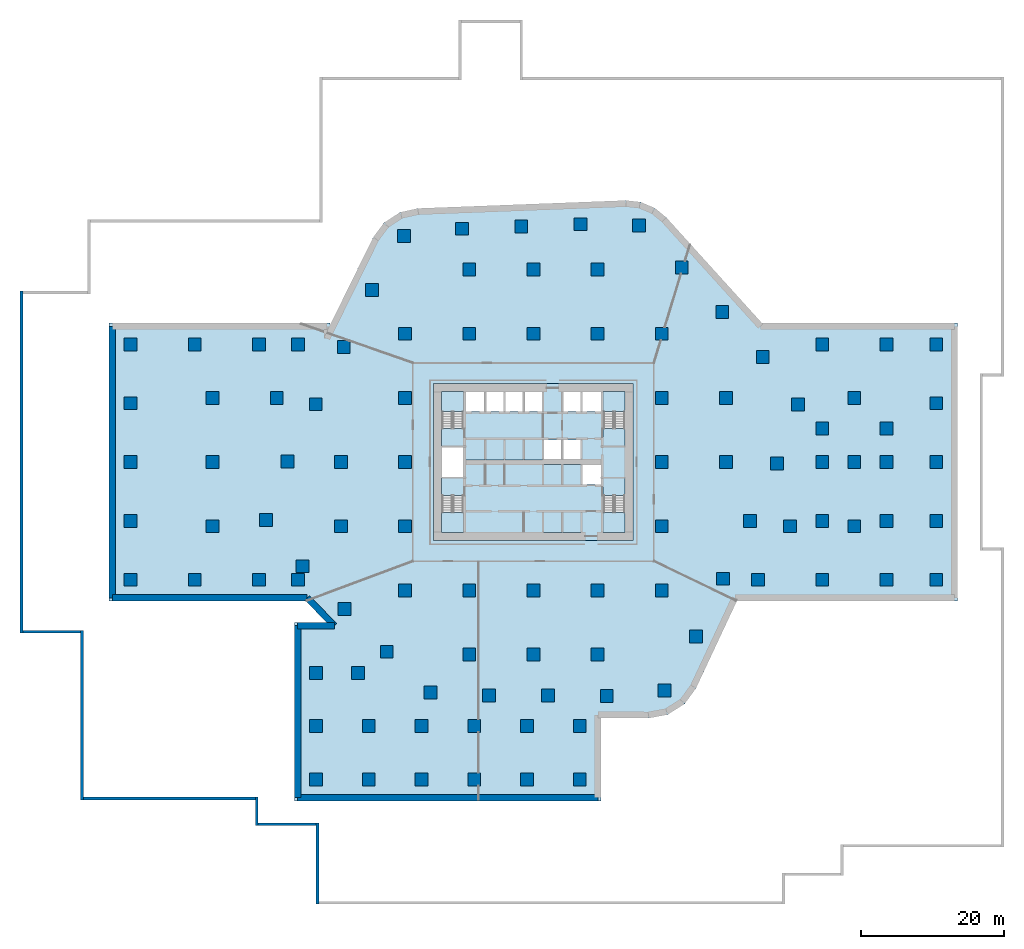
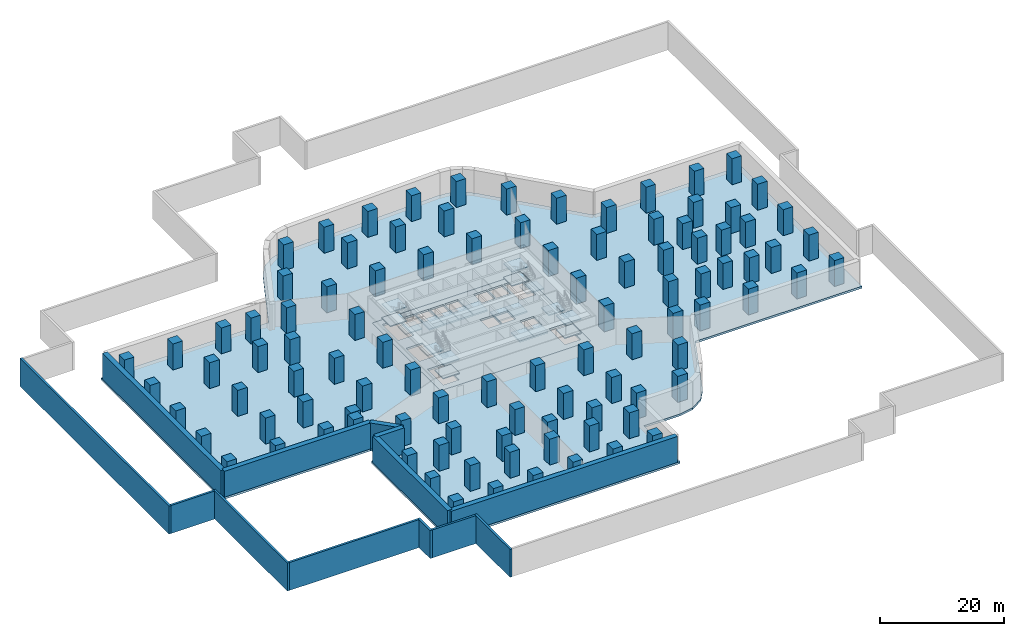
# One storey, part 1 of 9: 101 columns, 22 slabs, 13 walls, 4 elements without a shape of their own.
"""IFC4 building model written with IfcOpenShell, lengths in metres."""

from ifc_helpers import new_model, si_unit, direction, frame, frame_2d, origin, origin_2d, place, context, subcontext, project, spatial, polyline, rectangle, outline, extrude, material, layer, layer_set, material_profile, profile_set, type_object, element, aggregate, save


model = new_model("IFC4")

# Units and contexts
model_context = context("Model", 3, precision=1e-05, world=origin(), true_north=direction((0.0, 1.0)))
body_context = subcontext(model_context, "Body", "Model", "MODEL_VIEW")
ifc_project = project(units=[si_unit("LENGTHUNIT", "METRE"), si_unit("AREAUNIT", "SQUARE_METRE"), si_unit("VOLUMEUNIT", "CUBIC_METRE"), si_unit("PLANEANGLEUNIT", "RADIAN"), si_unit("MASSUNIT", "GRAM", prefix="KILO")], contexts=[model_context])

# Site, building, storey
site_placement = place(None, origin())
site = spatial("IfcSite", under=ifc_project, at=site_placement, CompositionType="ELEMENT")
building_placement = place(site_placement, origin())
building = spatial("IfcBuilding", under=site, at=building_placement, Name="Dongbaek Canopy Tower", CompositionType="ELEMENT")
storey_placement = place(building_placement, frame((0.0, 0.0, -11.5)))
storey = spatial("IfcBuildingStorey", under=building, at=storey_placement, Name="B2", CompositionType="ELEMENT", Elevation=-11.5)

# Columns
ifc_material_1 = material(Name="Concrete C80", Category="concrete")
ifc_material_profile = material_profile(ifc_material_1, rectangle(XDim=1.800048828125, YDim=1.800048828125, at=origin_2d()), Name="RC COLUMN 1800x1800 C80")
ifc_profile_set = profile_set([ifc_material_profile], Name="Concrete C80")
column_type = type_object("IfcColumnType", Name="RC COLUMN 1800x1800 C80", PredefinedType="COLUMN", material=ifc_profile_set)
for number, where, z_axis, x_axis, name in (
    (1, (18.367919921875, -32.04296875, 0.0), (0.0, 0.0, 1.0), (1.0, 0.0, 0.0), "COL:CB-01:B2"),
    (2, (10.277099609375, -32.7900390625, 0.0), (0.0, 0.0, 1.0), (1.0, 0.0, 0.0), "COL:CB-02:B2"),
    (3, (2.027099609375, -32.7529296875, 0.0), (0.0, 0.0, 1.0), (1.0, 0.0, 0.0), "COL:CB-03:B2"),
    (4, (-6.221923828125, -32.717041015625, 0.0), (0.0, 0.0, 1.0), (1.0, 0.0, 0.0), "COL:CB-04:B2"),
    (5, (-14.43408203125, -32.31298828125, 0.0), (0.0, 0.0, 1.0), (1.0, 0.0, 0.0), "COL:CB-05:B2"),
    (6, (-20.573974609375, -26.60205078125, 0.0), (0.0, 0.0, 1.0), (1.0, 0.0, 0.0), "COL:CB-06:B2"),
    (7, (-26.47802734375, -20.60791015625, 0.0), (0.0, 0.0, 1.0), (1.0, 0.0, 0.0), "COL:CB-07:B2"),
    (8, (-32.382080078125, -14.613037109375, 0.0), (0.0, 0.0, 1.0), (1.0, 0.0, 0.0), "COL:CB-08:B2"),
    (9, (-37.489013671875, -8.123046875, 0.0), (0.0, 0.0, 1.0), (1.0, 0.0, 0.0), "COL:CB-09:B2"),
    (10, (-34.462890625, 0.10302734375, 0.0), (0.0, 0.0, 1.0), (1.0, 0.0, 0.0), "COL:CB-10:B2"),
    (11, (-30.52490234375, 8.111083984375, 0.0), (0.0, 0.0, 1.0), (1.0, 0.0, 0.0), "COL:CB-11:B2"),
    (12, (-26.5859375, 16.117919921875, 0.0), (0.0, 0.0, 1.0), (1.0, 0.0, 0.0), "COL:CB-12:B2"),
    (13, (-22.64794921875, 24.125, 0.0), (0.0, 0.0, 1.0), (1.0, 0.0, 0.0), "COL:CB-13:B2"),
    (14, (-18.138916015625, 31.698974609375, 0.0), (0.0, 0.0, 1.0), (1.0, 0.0, 0.0), "COL:CB-14:B2"),
    (15, (-10.006103515625, 32.714111328125, 0.0), (0.0, 0.0, 1.0), (1.0, 0.0, 0.0), "COL:CB-15:B2"),
    (16, (-1.7080078125, 33.031982421875, 0.0), (0.0, 0.0, 1.0), (1.0, 0.0, 0.0), "COL:CB-16:B2"),
    (17, (6.589111328125, 33.34912109375, 0.0), (0.0, 0.0, 1.0), (1.0, 0.0, 0.0), "COL:CB-17:B2"),
    (18, (14.830078125, 33.194091796875, 0.0), (0.0, 0.0, 1.0), (1.0, 0.0, 0.0), "COL:CB-18:B2"),
    (19, (20.804931640625, 27.297119140625, 0.0), (0.0, 0.0, 1.0), (1.0, 0.0, 0.0), "COL:CB-19:B2"),
    (20, (26.48193359375, 21.029052734375, 0.0), (0.0, 0.0, 1.0), (1.0, 0.0, 0.0), "COL:CB-20:B2"),
    (21, (32.157958984375, 14.760986328125, 0.0), (0.0, 0.0, 1.0), (1.0, 0.0, 0.0), "COL:CB-21:B2"),
    (22, (37.097900390625, 8.06591796875, 0.0), (0.0, 0.0, 1.0), (1.0, 0.0, 0.0), "COL:CB-22:B2"),
    (23, (34.14306640625, -0.205078125, 0.0), (0.0, 0.0, 1.0), (1.0, 0.0, 0.0), "COL:CB-23:B2"),
    (24, (30.360107421875, -8.283935546875, 0.0), (0.0, 0.0, 1.0), (1.0, 0.0, 0.0), "COL:CB-24:B2"),
    (25, (26.575927734375, -16.364013671875, 0.0), (0.0, 0.0, 1.0), (1.0, 0.0, 0.0), "COL:CB-25:B2"),
    (26, (22.7919921875, -24.443115234375, 0.0), (0.0, 0.0, 1.0), (1.0, 0.0, 0.0), "COL:CB-26:B2"),
    (27, (-27.0, -9.0, 0.0), (0.0, 0.0, 1.0), (1.0, 0.0, 0.0), "COL:CIB-01:B2"),
    (28, (-27.0, 0.0, 0.0), (0.0, 0.0, 1.0), (1.0, 0.0, 0.0), "COL:CIB-02:B2"),
    (29, (-18.0, -18.0, 0.0), (0.0, 0.0, 1.0), (1.0, 0.0, 0.0), "COL:CIB-03:B2"),
    (30, (-18.0, -9.0, 0.0), (0.0, 0.0, 1.0), (1.0, 0.0, 0.0), "COL:CIB-04:B2"),
    (31, (-18.0, 0.0, 0.0), (0.0, 0.0, 1.0), (1.0, 0.0, 0.0), "COL:CIB-05:B2"),
    (32, (-18.0, 9.0, 0.0), (0.0, 0.0, 1.0), (1.0, 0.0, 0.0), "COL:CIB-06:B2"),
    (33, (-18.0, 18.0, 0.0), (0.0, 0.0, 1.0), (1.0, 0.0, 0.0), "COL:CIB-07:B2"),
    (34, (-9.0, -27.0, 0.0), (0.0, 0.0, 1.0), (1.0, 0.0, 0.0), "COL:CIB-08:B2"),
    (35, (-9.0, -18.0, 0.0), (0.0, 0.0, 1.0), (1.0, 0.0, 0.0), "COL:CIB-09:B2"),
    (36, (-9.0, 18.0, 0.0), (0.0, 0.0, 1.0), (1.0, 0.0, 0.0), "COL:CIB-10:B2"),
    (37, (-9.0, 27.0, 0.0), (0.0, 0.0, 1.0), (1.0, 0.0, 0.0), "COL:CIB-11:B2"),
    (38, (0.0, -27.0, 0.0), (0.0, 0.0, 1.0), (1.0, 0.0, 0.0), "COL:CIB-12:B2"),
    (39, (0.0, -18.0, 0.0), (0.0, 0.0, 1.0), (1.0, 0.0, 0.0), "COL:CIB-13:B2"),
    (40, (0.0, 18.0, 0.0), (0.0, 0.0, 1.0), (1.0, 0.0, 0.0), "COL:CIB-14:B2"),
    (41, (0.0, 27.0, 0.0), (0.0, 0.0, 1.0), (1.0, 0.0, 0.0), "COL:CIB-15:B2"),
    (42, (9.0, -27.0, 0.0), (0.0, 0.0, 1.0), (1.0, 0.0, 0.0), "COL:CIB-16:B2"),
    (43, (9.0, -18.0, 0.0), (0.0, 0.0, 1.0), (1.0, 0.0, 0.0), "COL:CIB-17:B2"),
    (44, (9.0, 18.0, 0.0), (0.0, 0.0, 1.0), (1.0, 0.0, 0.0), "COL:CIB-18:B2"),
    (45, (9.0, 27.0, 0.0), (0.0, 0.0, 1.0), (1.0, 0.0, 0.0), "COL:CIB-19:B2"),
    (46, (18.0, -18.0, 0.0), (0.0, 0.0, 1.0), (1.0, 0.0, 0.0), "COL:CIB-20:B2"),
    (47, (18.0, -9.0, 0.0), (0.0, 0.0, 1.0), (1.0, 0.0, 0.0), "COL:CIB-21:B2"),
    (48, (18.0, 0.0, 0.0), (0.0, 0.0, 1.0), (1.0, 0.0, 0.0), "COL:CIB-22:B2"),
    (49, (18.0, 9.0, 0.0), (0.0, 0.0, 1.0), (1.0, 0.0, 0.0), "COL:CIB-23:B2"),
    (50, (18.0, 18.0, 0.0), (0.0, 0.0, 1.0), (1.0, 0.0, 0.0), "COL:CIB-24:B2"),
    (51, (27.0, 0.0, 0.0), (0.0, 0.0, 1.0), (1.0, 0.0, 0.0), "COL:CIB-25:B2"),
    (52, (27.0, 9.0, 0.0), (0.0, 0.0, 1.0), (1.0, 0.0, 0.0), "COL:CIB-26:B2"),
    (53, (-56.5, -16.5, 0.0), (0.0, 0.0, 1.0), (1.0, 0.0, 0.0), "COL:CX-01:B2"),
    (54, (-56.5, -8.25, 0.0), (0.0, 0.0, 1.0), (1.0, 0.0, 0.0), "COL:CX-02:B2"),
    (55, (-56.5, 0.0, 0.0), (0.0, 0.0, 1.0), (1.0, 0.0, 0.0), "COL:CX-03:B2"),
    (56, (-56.5, 8.25, 0.0), (0.0, 0.0, 1.0), (1.0, 0.0, 0.0), "COL:CX-04:B2"),
    (57, (-56.5, 16.5, 0.0), (0.0, 0.0, 1.0), (1.0, 0.0, 0.0), "COL:CX-05:B2"),
    (58, (-47.5, -16.5, 0.0), (0.0, 0.0, 1.0), (1.0, 0.0, 0.0), "COL:CX-06:B2"),
    (59, (-47.5, 16.5, 0.0), (0.0, 0.0, 1.0), (1.0, 0.0, 0.0), "COL:CX-07:B2"),
    (60, (-45.0, -9.0, 0.0), (0.0, 0.0, 1.0), (1.0, 0.0, 0.0), "COL:CX-08:B2"),
    (61, (-45.0, 0.0, 0.0), (0.0, 0.0, 1.0), (1.0, 0.0, 0.0), "COL:CX-09:B2"),
    (62, (-45.0, 9.0, 0.0), (0.0, 0.0, 1.0), (1.0, 0.0, 0.0), "COL:CX-10:B2"),
    (63, (-38.5, -16.5, 0.0), (0.0, 0.0, 1.0), (1.0, 0.0, 0.0), "COL:CX-11:B2"),
    (64, (-38.5, 16.5, 0.0), (0.0, 0.0, 1.0), (1.0, 0.0, 0.0), "COL:CX-12:B2"),
    (65, (-36.0, 9.0, 0.0), (0.0, 0.0, 1.0), (1.0, 0.0, 0.0), "COL:CX-13:B2"),
    (66, (-33.0, -16.5, 0.0), (0.0, 0.0, 1.0), (1.0, 0.0, 0.0), "COL:CX-14:B2"),
    (67, (-33.0, 16.5, 0.0), (0.0, 0.0, 1.0), (1.0, 0.0, 0.0), "COL:CX-15:B2"),
    (68, (-30.5, -44.5, 0.0), (0.0, 0.0, 1.0), (1.0, 0.0, 0.0), "COL:CX-16:B2"),
    (69, (-30.5, -37.0, 0.0), (0.0, 0.0, 1.0), (1.0, 0.0, 0.0), "COL:CX-17:B2"),
    (70, (-30.5, -29.60009765625, 0.0), (0.0, 0.0, 1.0), (1.0, 0.0, 0.0), "COL:CX-18:B2"),
    (71, (-24.60009765625, -29.60009765625, 0.0), (0.0, 0.0, 1.0), (1.0, 0.0, 0.0), "COL:CX-19:B2"),
    (72, (-23.10009765625, -44.5, 0.0), (0.0, 0.0, 1.0), (1.0, 0.0, 0.0), "COL:CX-20:B2"),
    (73, (-23.10009765625, -37.0, 0.0), (0.0, 0.0, 1.0), (1.0, 0.0, 0.0), "COL:CX-21:B2"),
    (74, (-15.699951171875, -44.5, 0.0), (0.0, 0.0, 1.0), (1.0, 0.0, 0.0), "COL:CX-22:B2"),
    (75, (-15.699951171875, -37.0, 0.0), (0.0, 0.0, 1.0), (1.0, 0.0, 0.0), "COL:CX-23:B2"),
    (76, (-8.300048828125, -44.5, 0.0), (0.0, 0.0, 1.0), (1.0, 0.0, 0.0), "COL:CX-24:B2"),
    (77, (-8.300048828125, -37.0, 0.0), (0.0, 0.0, 1.0), (1.0, 0.0, 0.0), "COL:CX-25:B2"),
    (78, (-0.89990234375, -44.5, 0.0), (0.0, 0.0, 1.0), (1.0, 0.0, 0.0), "COL:CX-26:B2"),
    (79, (-0.89990234375, -37.0, 0.0), (0.0, 0.0, 1.0), (1.0, 0.0, 0.0), "COL:CX-27:B2"),
    (80, (6.5, -44.5, 0.0), (0.0, 0.0, 1.0), (1.0, 0.0, 0.0), "COL:CX-28:B2"),
    (81, (6.5, -37.0, 0.0), (0.0, 0.0, 1.0), (1.0, 0.0, 0.0), "COL:CX-29:B2"),
    (82, (31.5, -16.5, 0.0), (0.0, 0.0, 1.0), (1.0, 0.0, 0.0), "COL:CX-30:B2"),
    (83, (36.0, -9.0, 0.0), (0.0, 0.0, 1.0), (1.0, 0.0, 0.0), "COL:CX-31:B2"),
    (84, (40.5, -16.5, 0.0), (0.0, 0.0, 1.0), (1.0, 0.0, 0.0), "COL:CX-32:B2"),
    (85, (40.5, -8.25, 0.0), (0.0, 0.0, 1.0), (1.0, 0.0, 0.0), "COL:CX-33:B2"),
    (86, (40.5, 0.0, 0.0), (0.0, 0.0, 1.0), (1.0, 0.0, 0.0), "COL:CX-34:B2"),
    (87, (40.5, 4.699951171875, 0.0), (0.0, 0.0, 1.0), (1.0, 0.0, 0.0), "COL:CX-35:B2"),
    (88, (40.5, 16.5, 0.0), (0.0, 0.0, 1.0), (1.0, 0.0, 0.0), "COL:CX-36:B2"),
    (89, (45.0, -9.0, 0.0), (0.0, 0.0, 1.0), (1.0, 0.0, 0.0), "COL:CX-37:B2"),
    (90, (45.0, 0.0, 0.0), (0.0, 0.0, 1.0), (1.0, 0.0, 0.0), "COL:CX-38:B2"),
    (91, (45.0, 9.0, 0.0), (0.0, 0.0, 1.0), (1.0, 0.0, 0.0), "COL:CX-39:B2"),
    (92, (49.5, -16.5, 0.0), (0.0, 0.0, 1.0), (1.0, 0.0, 0.0), "COL:CX-40:B2"),
    (93, (49.5, -8.25, 0.0), (0.0, 0.0, 1.0), (1.0, 0.0, 0.0), "COL:CX-41:B2"),
    (94, (49.5, 0.0, 0.0), (0.0, 0.0, 1.0), (1.0, 0.0, 0.0), "COL:CX-42:B2"),
    (95, (49.5, 4.699951171875, 0.0), (0.0, 0.0, 1.0), (1.0, 0.0, 0.0), "COL:CX-43:B2"),
    (96, (49.5, 16.5, 0.0), (0.0, 0.0, 1.0), (1.0, 0.0, 0.0), "COL:CX-44:B2"),
    (97, (56.5, -16.5, 0.0), (0.0, 0.0, 1.0), (1.0, 0.0, 0.0), "COL:CX-45:B2"),
    (98, (56.5, -8.25, 0.0), (0.0, 0.0, 1.0), (1.0, 0.0, 0.0), "COL:CX-46:B2"),
    (99, (56.5, 0.0, 0.0), (0.0, 0.0, 1.0), (1.0, 0.0, 0.0), "COL:CX-47:B2"),
    (100, (56.5, 8.25, 0.0), (0.0, 0.0, 1.0), (1.0, 0.0, 0.0), "COL:CX-48:B2"),
    (101, (56.5, 16.5, 0.0), (0.0, 0.0, 1.0), (1.0, 0.0, 0.0), "COL:CX-49:B2"),
):
    element("IfcColumn", number, at=place(storey_placement, frame(where, z_axis=z_axis, x_axis=x_axis)), inside=storey, type_object=column_type, Name=name, PredefinedType="COLUMN", context=body_context, shape_type="SweptSolid", body=[
        extrude(rectangle(XDim=1.800048828125, YDim=1.800048828125, at=origin_2d()), origin(), (0.0, 0.0, 1.0), 5.10009765625),
    ])

# Slab
ifc_material_2 = material(Name="Concrete C40/50", Category="concrete")
ifc_layer_1 = layer(ifc_material_2, 0.39990234375)
ifc_layer_set_1 = layer_set([ifc_layer_1], Name="Core floor slab 400 Concrete C40/50")
slab_type_1 = type_object("IfcSlabType", Name="Core floor slab 400 Concrete C40/50", PredefinedType="FLOOR", material=ifc_layer_set_1)
slab_1_placement = place(storey_placement, frame((0.0, 0.0, -0.39990234375)))
element("IfcSlab", 102, at=slab_1_placement, inside=storey, type_object=slab_type_1, Name="Core floor slab B2", PredefinedType="FLOOR", context=body_context, shape_type="SweptSolid", body=[
    extrude(outline(polyline([(14.0, -11.0), (14.0, 11.0), (-14.0, 11.0), (-14.0, -11.0), (14.0, -11.0)]), holes=[polyline([(-12.800048828125, 2.10009765625), (-9.85009765625, 2.10009765625), (-9.85009765625, -2.10009765625), (-12.800048828125, -2.10009765625), (-12.800048828125, 2.10009765625)]), polyline([(-6.875, 9.800048828125), (-6.875, 7.074951171875), (-9.449951171875, 7.074951171875), (-9.449951171875, 9.800048828125), (-6.875, 9.800048828125)]), polyline([(-4.175048828125, 9.800048828125), (-4.175048828125, 7.074951171875), (-6.625, 7.074951171875), (-6.625, 9.800048828125), (-4.175048828125, 9.800048828125)]), polyline([(-1.47509765625, 9.800048828125), (-1.47509765625, 7.074951171875), (-3.925048828125, 7.074951171875), (-3.925048828125, 9.800048828125), (-1.47509765625, 9.800048828125)]), polyline([(1.22509765625, 9.800048828125), (1.22509765625, 7.074951171875), (-1.22509765625, 7.074951171875), (-1.22509765625, 9.800048828125), (1.22509765625, 9.800048828125)]), polyline([(6.625, 9.800048828125), (6.625, 7.074951171875), (4.175048828125, 7.074951171875), (4.175048828125, 9.800048828125), (6.625, 9.800048828125)]), polyline([(9.449951171875, 7.074951171875), (6.875, 7.074951171875), (6.875, 9.800048828125), (9.449951171875, 9.800048828125), (9.449951171875, 7.074951171875)]), polyline([(1.47509765625, 0.39990234375), (1.47509765625, 3.125), (3.925048828125, 3.125), (3.925048828125, 0.39990234375), (1.47509765625, 0.39990234375)]), polyline([(4.175048828125, 0.39990234375), (4.175048828125, 3.125), (6.625, 3.125), (6.625, 0.39990234375), (4.175048828125, 0.39990234375)]), polyline([(9.449951171875, -3.125), (6.875, -3.125), (6.875, -0.39990234375), (9.449951171875, -0.39990234375), (9.449951171875, -3.125)]), polyline([(12.800048828125, 4.70068359375), (12.800048828125, 9.800048828125), (9.85009765625, 9.800048828125), (9.85009765625, 4.70068359375), (12.800048828125, 4.70068359375)]), polyline([(-9.85009765625, 4.70068359375), (-9.85009765625, 9.800048828125), (-12.800048828125, 9.800048828125), (-12.800048828125, 4.70068359375), (-9.85009765625, 4.70068359375)]), polyline([(9.85009765625, -4.70068359375), (9.85009765625, -9.800048828125), (12.800048828125, -9.800048828125), (12.800048828125, -4.70068359375), (9.85009765625, -4.70068359375)]), polyline([(-12.800048828125, -4.70068359375), (-12.800048828125, -9.800048828125), (-9.85009765625, -9.800048828125), (-9.85009765625, -4.70068359375), (-12.800048828125, -4.70068359375)])]), origin(), (0.0, 0.0, 1.0), 0.39990234375),
])

# Stair, slabs
ifc_material_3 = material(Name="Concrete C40/50", Category="concrete")
stair_type = type_object("IfcStairType", Name="Core exit stair", PredefinedType="HALF_TURN_STAIR", material=ifc_material_3)
stair_1_placement = place(storey_placement, origin())
stair_1 = element("IfcStair", 103, at=stair_1_placement, inside=storey, type_object=stair_type, Name="B2 exit stair A", PredefinedType="HALF_TURN_STAIR")
ifc_material_4 = material(Name="Concrete C40/50", Category="concrete")
ifc_layer_2 = layer(ifc_material_4, 0.199951171875)
ifc_layer_set_2 = layer_set([ifc_layer_2], Name="Core stair landing 200")
slab_type_2 = type_object("IfcSlabType", Name="Core stair landing 200", PredefinedType="LANDING", material=ifc_layer_set_2)
slab_2_placement = place(storey_placement, frame((0.0, 0.0, 1.175048828125)))
slab_2 = element("IfcSlab", 104, at=slab_2_placement, type_object=slab_type_2, Name="ST-A landing 1", PredefinedType="LANDING", context=body_context, shape_type="SweptSolid", body=[
    extrude(outline(polyline([(12.875, 7.080078125), (12.875, 9.875), (9.77490234375, 9.875), (9.77490234375, 7.080078125), (12.875, 7.080078125)])), origin(), (0.0, 0.0, 1.0), 0.199951171875),
])
slab_3_placement = place(storey_placement, frame((0.0, 0.0, 2.550048828125)))
slab_3 = element("IfcSlab", 105, at=slab_3_placement, type_object=slab_type_2, Name="ST-A landing 2", PredefinedType="LANDING", context=body_context, shape_type="SweptSolid", body=[
    extrude(outline(polyline([(12.875, 2.22509765625), (12.875, 4.699951171875), (9.77490234375, 4.699951171875), (9.77490234375, 2.22509765625), (12.875, 2.22509765625)])), origin(), (0.0, 0.0, 1.0), 0.199951171875),
])
slab_4_placement = place(storey_placement, frame((0.0, 0.0, 3.925048828125)))
slab_4 = element("IfcSlab", 106, at=slab_4_placement, type_object=slab_type_2, Name="ST-A landing 3", PredefinedType="LANDING", context=body_context, shape_type="SweptSolid", body=[
    extrude(outline(polyline([(12.875, 7.080078125), (12.875, 9.875), (9.77490234375, 9.875), (9.77490234375, 7.080078125), (12.875, 7.080078125)])), origin(), (0.0, 0.0, 1.0), 0.199951171875),
])
aggregate(stair_1, [slab_2, slab_3, slab_4])

stair_2_placement = place(storey_placement, origin())
stair_2 = element("IfcStair", 107, at=stair_2_placement, inside=storey, type_object=stair_type, Name="B2 exit stair C", PredefinedType="HALF_TURN_STAIR")
slab_5_placement = place(storey_placement, frame((0.0, 0.0, 1.175048828125)))
slab_5 = element("IfcSlab", 108, at=slab_5_placement, type_object=slab_type_2, Name="ST-C landing 1", PredefinedType="LANDING", context=body_context, shape_type="SweptSolid", body=[
    extrude(outline(polyline([(-9.77490234375, 7.080078125), (-9.77490234375, 9.875), (-12.875, 9.875), (-12.875, 7.080078125), (-9.77490234375, 7.080078125)])), origin(), (0.0, 0.0, 1.0), 0.199951171875),
])
slab_6_placement = place(storey_placement, frame((0.0, 0.0, 2.550048828125)))
slab_6 = element("IfcSlab", 109, at=slab_6_placement, type_object=slab_type_2, Name="ST-C landing 2", PredefinedType="LANDING", context=body_context, shape_type="SweptSolid", body=[
    extrude(outline(polyline([(-9.77490234375, 2.22509765625), (-9.77490234375, 4.699951171875), (-12.875, 4.699951171875), (-12.875, 2.22509765625), (-9.77490234375, 2.22509765625)])), origin(), (0.0, 0.0, 1.0), 0.199951171875),
])
slab_7_placement = place(storey_placement, frame((0.0, 0.0, 3.925048828125)))
slab_7 = element("IfcSlab", 110, at=slab_7_placement, type_object=slab_type_2, Name="ST-C landing 3", PredefinedType="LANDING", context=body_context, shape_type="SweptSolid", body=[
    extrude(outline(polyline([(-9.77490234375, 7.080078125), (-9.77490234375, 9.875), (-12.875, 9.875), (-12.875, 7.080078125), (-9.77490234375, 7.080078125)])), origin(), (0.0, 0.0, 1.0), 0.199951171875),
])
aggregate(stair_2, [slab_5, slab_6, slab_7])

stair_3_placement = place(storey_placement, origin())
stair_3 = element("IfcStair", 111, at=stair_3_placement, inside=storey, type_object=stair_type, Name="B2 exit stair B", PredefinedType="HALF_TURN_STAIR")
slab_8_placement = place(storey_placement, frame((0.0, 0.0, 1.175048828125)))
slab_8 = element("IfcSlab", 112, at=slab_8_placement, type_object=slab_type_2, Name="ST-B landing 1", PredefinedType="LANDING", context=body_context, shape_type="SweptSolid", body=[
    extrude(outline(polyline([(9.77490234375, -7.080078125), (9.77490234375, -9.875), (12.875, -9.875), (12.875, -7.080078125), (9.77490234375, -7.080078125)])), origin(), (0.0, 0.0, 1.0), 0.199951171875),
])
slab_9_placement = place(storey_placement, frame((0.0, 0.0, 2.550048828125)))
slab_9 = element("IfcSlab", 113, at=slab_9_placement, type_object=slab_type_2, Name="ST-B landing 2", PredefinedType="LANDING", context=body_context, shape_type="SweptSolid", body=[
    extrude(outline(polyline([(9.77490234375, -2.22509765625), (9.77490234375, -4.699951171875), (12.875, -4.699951171875), (12.875, -2.22509765625), (9.77490234375, -2.22509765625)])), origin(), (0.0, 0.0, 1.0), 0.199951171875),
])
slab_10_placement = place(storey_placement, frame((0.0, 0.0, 3.925048828125)))
slab_10 = element("IfcSlab", 114, at=slab_10_placement, type_object=slab_type_2, Name="ST-B landing 3", PredefinedType="LANDING", context=body_context, shape_type="SweptSolid", body=[
    extrude(outline(polyline([(9.77490234375, -7.080078125), (9.77490234375, -9.875), (12.875, -9.875), (12.875, -7.080078125), (9.77490234375, -7.080078125)])), origin(), (0.0, 0.0, 1.0), 0.199951171875),
])
aggregate(stair_3, [slab_8, slab_9, slab_10])

stair_4_placement = place(storey_placement, origin())
stair_4 = element("IfcStair", 115, at=stair_4_placement, inside=storey, type_object=stair_type, Name="B2 exit stair D", PredefinedType="HALF_TURN_STAIR")
slab_11_placement = place(storey_placement, frame((0.0, 0.0, 1.175048828125)))
slab_11 = element("IfcSlab", 116, at=slab_11_placement, type_object=slab_type_2, Name="ST-D landing 1", PredefinedType="LANDING", context=body_context, shape_type="SweptSolid", body=[
    extrude(outline(polyline([(-12.875, -7.080078125), (-12.875, -9.875), (-9.77490234375, -9.875), (-9.77490234375, -7.080078125), (-12.875, -7.080078125)])), origin(), (0.0, 0.0, 1.0), 0.199951171875),
])
slab_12_placement = place(storey_placement, frame((0.0, 0.0, 2.550048828125)))
slab_12 = element("IfcSlab", 117, at=slab_12_placement, type_object=slab_type_2, Name="ST-D landing 2", PredefinedType="LANDING", context=body_context, shape_type="SweptSolid", body=[
    extrude(outline(polyline([(-12.875, -2.22509765625), (-12.875, -4.699951171875), (-9.77490234375, -4.699951171875), (-9.77490234375, -2.22509765625), (-12.875, -2.22509765625)])), origin(), (0.0, 0.0, 1.0), 0.199951171875),
])
slab_13_placement = place(storey_placement, frame((0.0, 0.0, 3.925048828125)))
slab_13 = element("IfcSlab", 118, at=slab_13_placement, type_object=slab_type_2, Name="ST-D landing 3", PredefinedType="LANDING", context=body_context, shape_type="SweptSolid", body=[
    extrude(outline(polyline([(-12.875, -7.080078125), (-12.875, -9.875), (-9.77490234375, -9.875), (-9.77490234375, -7.080078125), (-12.875, -7.080078125)])), origin(), (0.0, 0.0, 1.0), 0.199951171875),
])
aggregate(stair_4, [slab_11, slab_12, slab_13])

# Slabs
ifc_material_5 = material(Name="Concrete C40/50", Category="concrete")
ifc_layer_3 = layer(ifc_material_5, 0.300048828125)
ifc_layer_set_3 = layer_set([ifc_layer_3], Name="Lift pit slab 300 Concrete C40/50")
slab_type_3 = type_object("IfcSlabType", Name="Lift pit slab 300 Concrete C40/50", PredefinedType="BASESLAB", material=ifc_layer_set_3)
slab_14_placement = place(storey_placement, frame((0.0, 0.0, 3.39990234375)))
element("IfcSlab", 119, at=slab_14_placement, inside=storey, type_object=slab_type_3, Name="Lift LR5 pit slab", PredefinedType="BASESLAB", context=body_context, shape_type="SweptSolid", body=[
    extrude(outline(polyline([(-9.52490234375, 3.199951171875), (-6.800048828125, 3.199951171875), (-6.800048828125, 0.324951171875), (-9.52490234375, 0.324951171875), (-9.52490234375, 3.199951171875)])), origin(), (0.0, 0.0, 1.0), 0.300048828125),
])
slab_15_placement = place(storey_placement, frame((0.0, 0.0, 3.39990234375)))
element("IfcSlab", 120, at=slab_15_placement, inside=storey, type_object=slab_type_3, Name="Lift LR6 pit slab", PredefinedType="BASESLAB", context=body_context, shape_type="SweptSolid", body=[
    extrude(outline(polyline([(-6.699951171875, 3.199951171875), (-4.10009765625, 3.199951171875), (-4.10009765625, 0.324951171875), (-6.699951171875, 0.324951171875), (-6.699951171875, 3.199951171875)])), origin(), (0.0, 0.0, 1.0), 0.300048828125),
])
slab_16_placement = place(storey_placement, frame((0.0, 0.0, 3.39990234375)))
element("IfcSlab", 121, at=slab_16_placement, inside=storey, type_object=slab_type_3, Name="Lift LR7 pit slab", PredefinedType="BASESLAB", context=body_context, shape_type="SweptSolid", body=[
    extrude(outline(polyline([(-4.0, 3.199951171875), (-1.39990234375, 3.199951171875), (-1.39990234375, 0.324951171875), (-4.0, 0.324951171875), (-4.0, 3.199951171875)])), origin(), (0.0, 0.0, 1.0), 0.300048828125),
])
slab_17_placement = place(storey_placement, frame((0.0, 0.0, 3.39990234375)))
element("IfcSlab", 122, at=slab_17_placement, inside=storey, type_object=slab_type_3, Name="Lift LR8 pit slab", PredefinedType="BASESLAB", context=body_context, shape_type="SweptSolid", body=[
    extrude(outline(polyline([(-1.300048828125, 3.199951171875), (1.300048828125, 3.199951171875), (1.300048828125, 0.324951171875), (-1.300048828125, 0.324951171875), (-1.300048828125, 3.199951171875)])), origin(), (0.0, 0.0, 1.0), 0.300048828125),
])
slab_18_placement = place(storey_placement, frame((0.0, 0.0, 3.39990234375)))
element("IfcSlab", 123, at=slab_18_placement, inside=storey, type_object=slab_type_3, Name="Lift SH1 pit slab", PredefinedType="BASESLAB", context=body_context, shape_type="SweptSolid", body=[
    extrude(outline(polyline([(4.0, -0.324951171875), (4.0, -3.199951171875), (1.39990234375, -3.199951171875), (1.39990234375, -0.324951171875), (4.0, -0.324951171875)])), origin(), (0.0, 0.0, 1.0), 0.300048828125),
])
slab_19_placement = place(storey_placement, frame((0.0, 0.0, 3.39990234375)))
element("IfcSlab", 124, at=slab_19_placement, inside=storey, type_object=slab_type_3, Name="Lift SH2 pit slab", PredefinedType="BASESLAB", context=body_context, shape_type="SweptSolid", body=[
    extrude(outline(polyline([(6.699951171875, -0.324951171875), (6.699951171875, -3.199951171875), (4.10009765625, -3.199951171875), (4.10009765625, -0.324951171875), (6.699951171875, -0.324951171875)])), origin(), (0.0, 0.0, 1.0), 0.300048828125),
])
slab_20_placement = place(storey_placement, frame((0.0, 0.0, 3.39990234375)))
element("IfcSlab", 125, at=slab_20_placement, inside=storey, type_object=slab_type_3, Name="Lift SH3 pit slab", PredefinedType="BASESLAB", context=body_context, shape_type="SweptSolid", body=[
    extrude(outline(polyline([(1.39990234375, -9.875), (1.39990234375, -7.0), (4.0, -7.0), (4.0, -9.875), (1.39990234375, -9.875)])), origin(), (0.0, 0.0, 1.0), 0.300048828125),
])
slab_21_placement = place(storey_placement, frame((0.0, 0.0, 3.39990234375)))
element("IfcSlab", 126, at=slab_21_placement, inside=storey, type_object=slab_type_3, Name="Lift SH4 pit slab", PredefinedType="BASESLAB", context=body_context, shape_type="SweptSolid", body=[
    extrude(outline(polyline([(4.10009765625, -9.875), (4.10009765625, -7.0), (6.699951171875, -7.0), (6.699951171875, -9.875), (4.10009765625, -9.875)])), origin(), (0.0, 0.0, 1.0), 0.300048828125),
])
ifc_material_6 = material(Name="Concrete C40", Category="concrete")
ifc_layer_4 = layer(ifc_material_6, 0.39990234375)
ifc_layer_set_4 = layer_set([ifc_layer_4], Name="RC FLAT PLATE 400 Concrete C40")
slab_type_4 = type_object("IfcSlabType", Name="RC FLAT PLATE 400 Concrete C40", PredefinedType="FLOOR", material=ifc_layer_set_4)
slab_22_placement = place(storey_placement, frame((0.0, 0.0, -0.39990234375)))
element("IfcSlab", 127, at=slab_22_placement, inside=storey, type_object=slab_type_4, Name="SLAB:B2", PredefinedType="FLOOR", context=body_context, shape_type="SweptSolid", body=[
    extrude(outline(polyline([(-33.5, -22.5), (-28.96484375, -22.5), (-31.919677734375, -19.5), (-59.5, -19.5), (-59.5, 19.5), (-28.5, 19.5), (-28.5, 19.25146484375), (-22.4658203125, 31.5205078125), (-20.95263671875, 33.568115234375), (-18.70263671875, 35.029296875), (-16.216552734375, 35.57861328125), (12.970703125, 36.6953125), (15.028076171875, 36.473876953125), (17.037109375, 35.62841796875), (18.634033203125, 34.312255859375), (32.048095703125, 19.5), (59.5, 19.5), (59.5, -19.5), (28.530029296875, -19.5), (22.80419921875, -31.726318359375), (21.223876953125, -33.90478515625), (18.826904296875, -35.42138671875), (16.181640625, -35.916748046875), (9.5, -35.88671875), (9.5, -47.5), (-33.5, -47.5), (-33.5, -22.5)]), holes=[polyline([(14.0, 11.0), (-14.0, 11.0), (-14.0, -11.0), (14.0, -11.0), (14.0, 11.0)])]), origin(), (0.0, 0.0, 1.0), 0.39990234375),
])

# Walls
ifc_material_7 = material(Name="Concrete C40/50", Category="concrete")
ifc_layer_5 = layer(ifc_material_7, 0.39990234375)
ifc_layer_set_5 = layer_set([ifc_layer_5], Name="Plaza plinth wall 400")
wall_type_1 = type_object("IfcWallType", Name="Plaza plinth wall 400", PredefinedType="SOLIDWALL", material=ifc_layer_set_5)
wall_1_placement = place(storey_placement, frame((-30.300048828125, -62.0, 0.0), z_axis=(0.0, 0.0, 1.0), x_axis=(0.0, 1.0, 0.0)))
element("IfcWall", 128, at=wall_1_placement, inside=storey, type_object=wall_type_1, Name="Plaza plinth wall 29", PredefinedType="SOLIDWALL", context=body_context, shape_type="SweptSolid", body=[
    extrude(rectangle(XDim=11.39990234375, YDim=0.39990234375, at=frame_2d((5.699951171875, 0.0))), origin(), (0.0, 0.0, 1.0), 5.5),
])
wall_2_placement = place(storey_placement, frame((-38.60009765625, -50.800048828125, 0.0), z_axis=(0.0, 0.0, 1.0), x_axis=(1.0, 0.0, 0.0)))
element("IfcWall", 129, at=wall_2_placement, inside=storey, type_object=wall_type_1, Name="Plaza plinth wall 34", PredefinedType="SOLIDWALL", context=body_context, shape_type="SweptSolid", body=[
    extrude(rectangle(XDim=8.10009765625, YDim=0.39990234375, at=frame_2d((4.050048828125, 0.0))), origin(), (0.0, 0.0, 1.0), 5.5),
])
wall_3_placement = place(storey_placement, frame((-38.800048828125, -51.0, 0.0), z_axis=(0.0, 0.0, 1.0), x_axis=(0.0, 1.0, 0.0)))
element("IfcWall", 130, at=wall_3_placement, inside=storey, type_object=wall_type_1, Name="Plaza plinth wall 35", PredefinedType="SOLIDWALL", context=body_context, shape_type="SweptSolid", body=[
    extrude(rectangle(XDim=4.0, YDim=0.39990234375, at=frame_2d((2.0, 0.0))), origin(), (0.0, 0.0, 1.0), 5.5),
])
wall_4_placement = place(storey_placement, frame((-63.10009765625, -47.199951171875, 0.0), z_axis=(0.0, 0.0, 1.0), x_axis=(1.0, 0.0, 0.0)))
element("IfcWall", 131, at=wall_4_placement, inside=storey, type_object=wall_type_1, Name="Plaza plinth wall 36", PredefinedType="SOLIDWALL", context=body_context, shape_type="SweptSolid", body=[
    extrude(rectangle(XDim=24.10009765625, YDim=0.39990234375, at=frame_2d((12.050048828125, 0.0))), origin(), (0.0, 0.0, 1.0), 5.5),
])
wall_5_placement = place(storey_placement, frame((-63.300048828125, -47.39990234375, 0.0), z_axis=(0.0, 0.0, 1.0), x_axis=(0.0, 1.0, 0.0)))
element("IfcWall", 132, at=wall_5_placement, inside=storey, type_object=wall_type_1, Name="Plaza plinth wall 37", PredefinedType="SOLIDWALL", context=body_context, shape_type="SweptSolid", body=[
    extrude(rectangle(XDim=23.7998046875, YDim=0.39990234375, at=frame_2d((11.89990234375, 0.0))), origin(), (0.0, 0.0, 1.0), 5.5),
])
wall_6_placement = place(storey_placement, frame((-71.60009765625, -23.800048828125, 0.0), z_axis=(0.0, 0.0, 1.0), x_axis=(1.0, 0.0, 0.0)))
element("IfcWall", 133, at=wall_6_placement, inside=storey, type_object=wall_type_1, Name="Plaza plinth wall 38", PredefinedType="SOLIDWALL", context=body_context, shape_type="SweptSolid", body=[
    extrude(rectangle(XDim=8.10009765625, YDim=0.39990234375, at=frame_2d((4.050048828125, 0.0))), origin(), (0.0, 0.0, 1.0), 5.5),
])
wall_7_placement = place(storey_placement, frame((-71.800048828125, -24.0, 0.0), z_axis=(0.0, 0.0, 1.0), x_axis=(0.0, 1.0, 0.0)))
element("IfcWall", 134, at=wall_7_placement, inside=storey, type_object=wall_type_1, Name="Plaza plinth wall 39", PredefinedType="SOLIDWALL", context=body_context, shape_type="SweptSolid", body=[
    extrude(rectangle(XDim=48.0, YDim=0.39990234375, at=frame_2d((24.0, 0.0))), origin(), (0.0, 0.0, 1.0), 5.5),
])
ifc_material_8 = material(Name="Concrete C40", Category="concrete")
ifc_layer_6 = layer(ifc_material_8, 0.89990234375)
ifc_layer_set_6 = layer_set([ifc_layer_6], Name="RC RETAINING WALL 900 Concrete C40")
wall_type_2 = type_object("IfcWallType", Name="RC RETAINING WALL 900 Concrete C40", PredefinedType="SHEAR", material=ifc_layer_set_6)
wall_8_placement = place(storey_placement, frame((-33.050048828125, -47.050048828125, 0.0), z_axis=(0.0, 0.0, 1.0), x_axis=(0.0, 1.0, 0.0)))
element("IfcWall", 135, at=wall_8_placement, inside=storey, type_object=wall_type_2, Name="RWALL:B2:00", PredefinedType="SHEAR", context=body_context, shape_type="SweptSolid", body=[
    extrude(rectangle(XDim=24.10009765625, YDim=0.89990234375, at=frame_2d((12.050048828125, 0.0))), origin(), (0.0, 0.0, 1.0), 5.10009765625),
])
wall_9_placement = place(storey_placement, frame((-33.050048828125, -22.949951171875, 0.0), z_axis=(0.0, 0.0, 1.0), x_axis=(1.0, 0.0, 0.0)))
element("IfcWall", 136, at=wall_9_placement, inside=storey, type_object=wall_type_2, Name="RWALL:B2:01", PredefinedType="SHEAR", context=body_context, shape_type="SweptSolid", body=[
    extrude(rectangle(XDim=5.159912109375, YDim=0.89990234375, at=frame_2d((2.580078125, 0.0))), origin(), (0.0, 0.0, 1.0), 5.10009765625),
])
wall_10_placement = place(storey_placement, frame((-27.89013671875, -22.949951171875, 0.0), z_axis=(0.0, 0.0, 1.0), x_axis=(-0.70171190232, 0.71246081025, 0.0)))
element("IfcWall", 137, at=wall_10_placement, inside=storey, type_object=wall_type_2, Name="RWALL:B2:02", PredefinedType="SHEAR", context=body_context, shape_type="SweptSolid", body=[
    extrude(rectangle(XDim=5.473876953125, YDim=0.89990234375, at=frame_2d((2.73681640625, 0.0))), origin(), (0.0, 0.0, 1.0), 5.10009765625),
])
wall_11_placement = place(storey_placement, frame((-31.731201171875, -19.050048828125, 0.0), z_axis=(0.0, 0.0, 1.0), x_axis=(-1.0, 0.0, 0.0)))
element("IfcWall", 138, at=wall_11_placement, inside=storey, type_object=wall_type_2, Name="RWALL:B2:03", PredefinedType="SHEAR", context=body_context, shape_type="SweptSolid", body=[
    extrude(rectangle(XDim=27.31884765625, YDim=0.89990234375, at=frame_2d((13.659423828125, 0.0))), origin(), (0.0, 0.0, 1.0), 5.10009765625),
])
wall_12_placement = place(storey_placement, frame((-59.050048828125, -19.050048828125, 0.0), z_axis=(0.0, 0.0, 1.0), x_axis=(0.0, 1.0, 0.0)))
element("IfcWall", 139, at=wall_12_placement, inside=storey, type_object=wall_type_2, Name="RWALL:B2:04", PredefinedType="SHEAR", context=body_context, shape_type="SweptSolid", body=[
    extrude(rectangle(XDim=38.10009765625, YDim=0.89990234375, at=frame_2d((19.050048828125, 0.0))), origin(), (0.0, 0.0, 1.0), 5.10009765625),
])
wall_13_placement = place(storey_placement, frame((9.050048828125, -47.050048828125, 0.0), z_axis=(0.0, 0.0, 1.0), x_axis=(-1.0, 0.0, 0.0)))
element("IfcWall", 140, at=wall_13_placement, inside=storey, type_object=wall_type_2, Name="RWALL:B2:25", PredefinedType="SHEAR", context=body_context, shape_type="SweptSolid", body=[
    extrude(rectangle(XDim=42.10009765625, YDim=0.89990234375, at=frame_2d((21.050048828125, 0.0))), origin(), (0.0, 0.0, 1.0), 5.10009765625),
])

save(model, "model.ifc")
